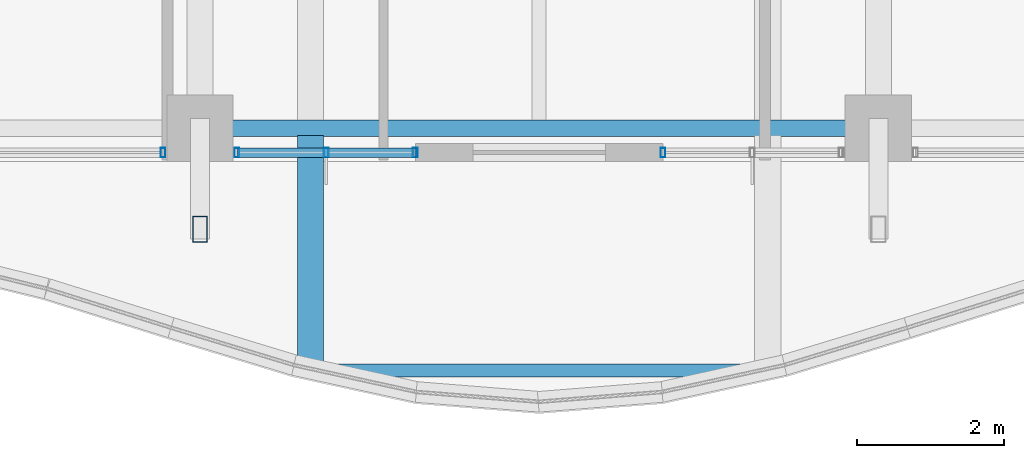
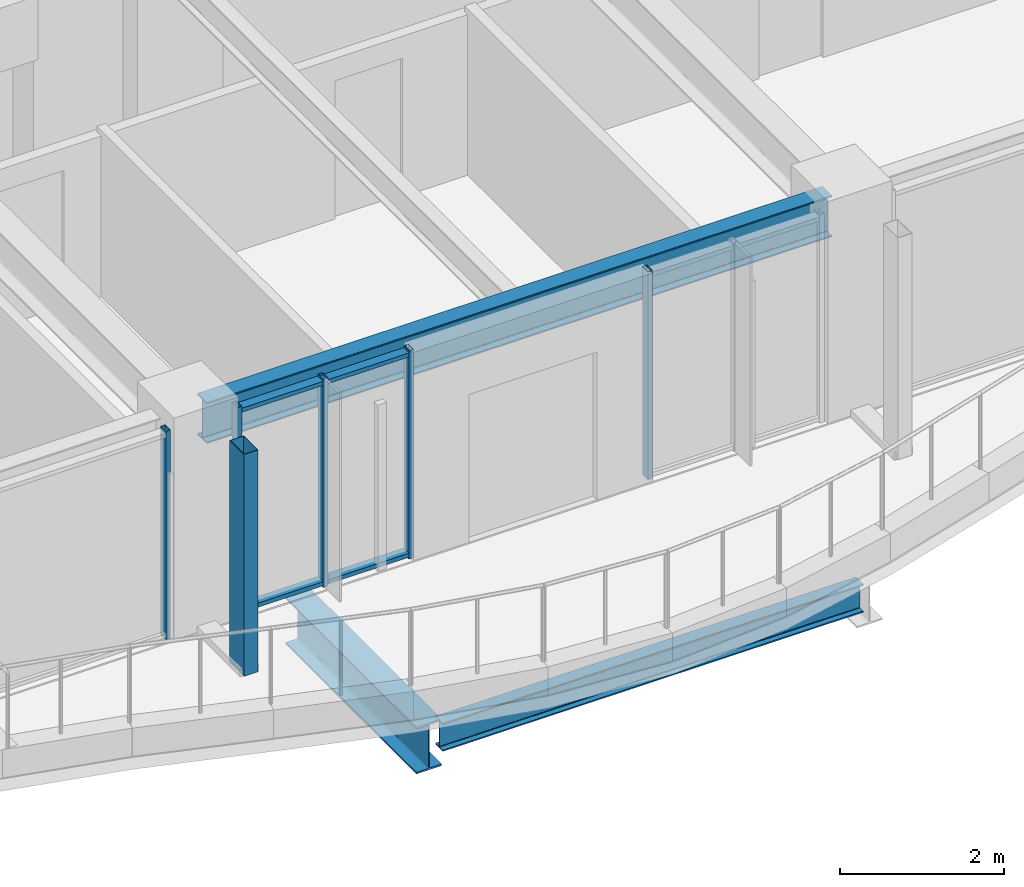
# One storey, part 4 of 34: 8 members, 3 beams, 3 elements without a shape of their own.
"""IFC4 building model written with IfcOpenShell, lengths in metres."""

import ifcopenshell
import ifcopenshell.guid

model = None  # the IFC model being written
_history = None  # IfcOwnerHistory: only IFC2X3 demands one
_inside = {}  # id of a spatial element -> (the spatial element, [elements in it])
_under = {}  # id of a project, library or spatial element -> (it, [spatial elements below it])
_declared = {}  # id of a project -> (the project, [libraries it declares])
_typed = {}  # id of a type object -> (the type object, [elements of that type])
_made_of = {}  # id of a material, layer set ... -> (it, [elements and type objects made of it])


def new_model(schema):
    """Start an empty IFC model of exactly this schema.

    Asked for "IFC4X3", IfcOpenShell would pick the latest addendum, in which some entities
    have other attributes; the version numbers below select the first issue.
    IFC2X3 requires an IfcOwnerHistory on every rooted entity: one is made here for all.
    """
    global model, _history
    if schema == "IFC4X3":
        model = ifcopenshell.file(schema_version=(4, 3, 0, 0))
    else:
        model = ifcopenshell.file(schema=schema)
    _inside.clear()
    _under.clear()
    _declared.clear()
    _typed.clear()
    _made_of.clear()
    _history = None
    if model.schema == "IFC2X3":
        org = make("IfcOrganization", Name="unknown")
        user = make(
            "IfcPersonAndOrganization",
            ThePerson=make("IfcPerson", FamilyName="unknown"),
            TheOrganization=org,
        )
        app = make(
            "IfcApplication",
            ApplicationDeveloper=org,
            Version="unknown",
            ApplicationFullName="unknown",
            ApplicationIdentifier="unknown",
        )
        _history = make(
            "IfcOwnerHistory",
            OwningUser=user,
            OwningApplication=app,
            ChangeAction="ADDED",
            CreationDate=0,
        )
    return model


def make(cls, **values):
    """One entity of the class cls with the attributes given. An attribute that is None is left unset."""
    return model.create_entity(
        cls, **{name: value for name, value in values.items() if value is not None}
    )


def rooted(cls, **values):
    """An entity with a GlobalId (a new one), such as an element, a storey or a relation."""
    return make(cls, GlobalId=ifcopenshell.guid.new(), OwnerHistory=_history, **values)


def si_unit(unit_type, name, prefix=None):
    """IfcSIUnit, for example si_unit("LENGTHUNIT", "METRE", prefix="MILLI")."""
    return make("IfcSIUnit", UnitType=unit_type, Prefix=prefix, Name=name)


def assignment(units):
    """IfcUnitAssignment: the units of a project."""
    return None if units is None else make("IfcUnitAssignment", Units=units)


def point(xyz):
    """IfcCartesianPoint."""
    return None if xyz is None else make("IfcCartesianPoint", Coordinates=xyz)


def direction(xyz):
    """IfcDirection."""
    return None if xyz is None else make("IfcDirection", DirectionRatios=xyz)


def frame(location, z_axis=None, x_axis=None):
    """IfcAxis2Placement3D, a coordinate frame: its origin and axes. An axis left out is left unset."""
    return make(
        "IfcAxis2Placement3D",
        Location=point(location),
        Axis=direction(z_axis),
        RefDirection=direction(x_axis),
    )


def frame_2d(location, x_axis=None):
    """IfcAxis2Placement2D, a coordinate frame in the plane: its origin and x axis."""
    return make(
        "IfcAxis2Placement2D", Location=point(location), RefDirection=direction(x_axis)
    )


def origin():
    """The frame at (0, 0, 0) with its axes left unset."""
    return frame((0.0, 0.0, 0.0))


def origin_2d():
    """The frame at (0, 0) in the plane with its x axis left unset."""
    return frame_2d((0.0, 0.0))


def place(relative_to, where):
    """IfcLocalPlacement: puts the frame where relative to a parent placement (None: the world)."""
    return make(
        "IfcLocalPlacement", PlacementRelTo=relative_to, RelativePlacement=where
    )


def context(
    kind, dimensions, precision=None, world=None, true_north=None, identifier=None
):
    """IfcGeometricRepresentationContext, for example the 3D "Model" context."""
    return make(
        "IfcGeometricRepresentationContext",
        ContextIdentifier=identifier,
        ContextType=kind,
        CoordinateSpaceDimension=dimensions,
        Precision=precision,
        WorldCoordinateSystem=world,
        TrueNorth=true_north,
    )


def subcontext(parent, identifier, kind, view, scale=None):
    """IfcGeometricRepresentationSubContext, for example "Body" below "Model"."""
    return make(
        "IfcGeometricRepresentationSubContext",
        ContextIdentifier=identifier,
        ContextType=kind,
        ParentContext=parent,
        TargetScale=scale,
        TargetView=view,
    )


def project(units=None, contexts=None):
    """IfcProject with its units and contexts."""
    return rooted(
        "IfcProject",
        Name="project",
        RepresentationContexts=contexts,
        UnitsInContext=assignment(units),
    )


def spatial(cls, under=None, at=None, **own):
    """A site, building, storey or space (cls), placed at a placement, below another one or the project."""
    s = rooted(cls, ObjectPlacement=at, **own)
    if under is not None:
        _under.setdefault(under.id(), (under, []))[1].append(s)
    return s


def profile(cls, at=None, kind="AREA", **sizes):
    """A parametric profile (cls). Its sizes go by their IFC names, for example OverallWidth=200.0."""
    return make(cls, ProfileType=kind, Position=at, **sizes)


def hollow_rectangle(**sizes):
    """IfcRectangleHollowProfileDef."""
    return profile("IfcRectangleHollowProfileDef", **sizes)


def i_section(**sizes):
    """IfcIShapeProfileDef."""
    return profile("IfcIShapeProfileDef", **sizes)


def extrude(swept, where, along, depth):
    """IfcExtrudedAreaSolid: the profile swept, set in the frame where, extruded along a direction by depth."""
    return make(
        "IfcExtrudedAreaSolid",
        SweptArea=swept,
        Position=where,
        ExtrudedDirection=direction(along),
        Depth=depth,
    )


def shape(context_of_items, identifier, shape_type, items):
    """IfcShapeRepresentation: the items that make up one representation, for example the "Body"."""
    return make(
        "IfcShapeRepresentation",
        ContextOfItems=context_of_items,
        RepresentationIdentifier=identifier,
        RepresentationType=shape_type,
        Items=items,
    )


def material(Name=None, Category=None):
    """IfcMaterial."""
    return make("IfcMaterial", Name=Name, Category=Category)


def material_profile(
    of_material, cross_section, Name=None, Category=None, Priority=None
):
    """IfcMaterialProfile: a cross section and its material."""
    return make(
        "IfcMaterialProfile",
        Name=Name,
        Material=of_material,
        Profile=cross_section,
        Priority=Priority,
        Category=Category,
    )


def profile_set(profiles, Name=None, composite=None):
    """IfcMaterialProfileSet."""
    return make(
        "IfcMaterialProfileSet",
        Name=Name,
        MaterialProfiles=profiles,
        CompositeProfile=composite,
    )


def made_of(thing, what):
    """Note that an element or type object is made of a material, layer set ...; save() writes the relation."""
    if what is not None:
        _made_of.setdefault(what.id(), (what, []))[1].append(thing)
    return thing


def type_object(cls, material=None, **own):
    """A type object (cls), such as IfcWallType, which elements share."""
    return made_of(rooted(cls, **own), material)


def element(
    cls,
    number,
    at=None,
    inside=None,
    cuts=None,
    type_object=None,
    material=None,
    context=None,
    identifier="Body",
    shape_type=None,
    held_by="IfcProductDefinitionShape",
    body=None,
    shapes=None,
    **own,
):
    """One element of the class cls, such as IfcWall. Its Tag is "e" and its number.

    at: its placement. inside: the storey or other place that contains it. cuts: it is an
    opening in that element (IfcRelVoidsElement). A single representation is given by context,
    identifier, shape_type and body (its items); several are given by shapes. held_by: the class
    of the entity that holds the representations. save() writes the other relations.
    """
    e = rooted(cls, Tag="e%d" % number, ObjectPlacement=at, **own)
    if body is not None:
        shapes = [shape(context, identifier, shape_type, body)]
    if shapes is not None:
        e.Representation = make(held_by, Representations=shapes)
    if inside is not None:
        _inside.setdefault(inside.id(), (inside, []))[1].append(e)
    if cuts is not None:
        rooted(
            "IfcRelVoidsElement", RelatingBuildingElement=cuts, RelatedOpeningElement=e
        )
    if type_object is not None:
        _typed.setdefault(type_object.id(), (type_object, []))[1].append(e)
    return made_of(e, material)


def aggregate(whole, parts):
    """IfcRelAggregates: a whole, such as a stair, and the parts it consists of."""
    return rooted("IfcRelAggregates", RelatingObject=whole, RelatedObjects=parts)


def save(model, path):
    """Write the relations noted so far, then the file.

    IfcRelAggregates (storeys below a building ...), IfcRelContainedInSpatialStructure (elements
    in a storey), IfcRelDefinesByType, IfcRelAssociatesMaterial and IfcRelDeclares: one each for
    every whole, place, type object, material and project.
    """
    for whole, parts in _under.values():
        aggregate(whole, parts)
    for where, things in _inside.values():
        rooted(
            "IfcRelContainedInSpatialStructure",
            RelatedElements=things,
            RelatingStructure=where,
        )
    for kind, things in _typed.values():
        rooted("IfcRelDefinesByType", RelatedObjects=things, RelatingType=kind)
    for what, things in _made_of.values():
        rooted("IfcRelAssociatesMaterial", RelatedObjects=things, RelatingMaterial=what)
    for by, libraries in _declared.values():
        rooted("IfcRelDeclares", RelatingContext=by, RelatedDefinitions=libraries)
    model.write(path)


model = new_model("IFC4")

# Units and contexts
model_context = context("Model", 3, precision=1e-05, world=origin(), true_north=direction((0.0, 1.0)))
body_context = subcontext(model_context, "Body", "Model", "MODEL_VIEW")
ifc_project = project(units=[si_unit("LENGTHUNIT", "METRE"), si_unit("AREAUNIT", "SQUARE_METRE"), si_unit("VOLUMEUNIT", "CUBIC_METRE"), si_unit("PLANEANGLEUNIT", "RADIAN"), si_unit("MASSUNIT", "GRAM", prefix="KILO")], contexts=[model_context])

# Site, building, storey
site_placement = place(None, origin())
site = spatial("IfcSite", under=ifc_project, at=site_placement, CompositionType="ELEMENT")
building_placement = place(site_placement, origin())
building = spatial("IfcBuilding", under=site, at=building_placement, Name="Kolvaren Belvedere", CompositionType="ELEMENT")
storey_placement = place(building_placement, frame((0.0, 0.0, 166.800048828125)))
storey = spatial("IfcBuildingStorey", under=building, at=storey_placement, Name="L48", CompositionType="ELEMENT", Elevation=166.800048828125)

# Beams
ifc_material_1 = material(Name="Structural steel ASTM A992 Grade 50", Category="steel")
ifc_material_profile_1 = material_profile(ifc_material_1, i_section(OverallWidth=0.35498046875, OverallDepth=0.696044921875, WebThickness=0.015380859375, FlangeThickness=0.02490234375, FilletRadius=0.02197265625, at=origin_2d()), Name="W27X146")
ifc_profile_set_1 = profile_set([ifc_material_profile_1], Name="Structural steel ASTM A992 Grade 50")
beam_type_1 = type_object("IfcBeamType", Name="BM-CANT-BAL", PredefinedType="BEAM", material=ifc_profile_set_1)
beam_1_placement = place(storey_placement, frame((-3.10009765625, -18.7451171875, -0.548095703125), z_axis=(0.0, -1.0, 0.0), x_axis=(1.0, 0.0, 0.0)))
element("IfcBeam", 1, at=beam_1_placement, inside=storey, type_object=beam_type_1, Name="L48 Planted Balcony Cantilever BAL-S-1", PredefinedType="BEAM", context=body_context, shape_type="SweptSolid", body=[
    extrude(i_section(OverallWidth=0.35498046875, OverallDepth=0.696044921875, WebThickness=0.015380859375, FlangeThickness=0.02490234375, FilletRadius=0.02197265625, at=origin_2d()), origin(), (0.0, 0.0, 1.0), 3.1904296875),
])
ifc_material_2 = material(Name="Structural steel ASTM A992 Grade 50", Category="steel")
ifc_material_profile_2 = material_profile(ifc_material_2, i_section(OverallWidth=0.180908203125, OverallDepth=0.4169921875, WebThickness=0.010986328125, FlangeThickness=0.018310546875, FilletRadius=0.013916015625, at=origin_2d()), Name="W16X57")
ifc_profile_set_2 = profile_set([ifc_material_profile_2], Name="Structural steel ASTM A992 Grade 50")
beam_type_2 = type_object("IfcBeamType", Name="BM-EDGE-W16X57", PredefinedType="BEAM", material=ifc_profile_set_2)
beam_2_placement = place(storey_placement, frame((-2.9599609375, -21.935546875, -0.408447265625), z_axis=(1.0, 0.0, 0.0), x_axis=(0.0, 1.0, 0.0)))
element("IfcBeam", 2, at=beam_2_placement, inside=storey, type_object=beam_type_2, Name="L48 Balcony Tip Header Beam BAL-S", PredefinedType="BEAM", context=body_context, shape_type="SweptSolid", body=[
    extrude(i_section(OverallWidth=0.180908203125, OverallDepth=0.4169921875, WebThickness=0.010986328125, FlangeThickness=0.018310546875, FilletRadius=0.013916015625, at=origin_2d()), origin(), (0.0, 0.0, 1.0), 5.919921875),
])
ifc_material_3 = material(Name="Structural steel ASTM A992 Grade 50", Category="steel")
ifc_material_profile_3 = material_profile(ifc_material_3, i_section(OverallWidth=0.22900390625, OverallDepth=0.612060546875, WebThickness=0.011962890625, FlangeThickness=0.01953125, FilletRadius=0.01806640625, at=origin_2d()), Name="W24X84")
ifc_profile_set_3 = profile_set([ifc_material_profile_3], Name="Structural steel ASTM A992 Grade 50")
beam_type_3 = type_object("IfcBeamType", Name="BM-SPAN-W24X84", PredefinedType="SPANDREL", material=ifc_profile_set_3)
beam_3_placement = place(storey_placement, frame((-4.3974609375, -18.64990234375, 2.7939453125), z_axis=(1.0, 0.0, 0.0), x_axis=(0.0, 1.0, 0.0)))
element("IfcBeam", 3, at=beam_3_placement, inside=storey, type_object=beam_type_3, Name="L48 Perimeter Spandrel S2-S3", PredefinedType="SPANDREL", context=body_context, shape_type="SweptSolid", body=[
    extrude(i_section(OverallWidth=0.22900390625, OverallDepth=0.612060546875, WebThickness=0.011962890625, FlangeThickness=0.01953125, FilletRadius=0.01806640625, at=origin_2d()), origin(), (0.0, 0.0, 1.0), 8.794921875),
])

# Curtain wall, member
ifc_material_4 = material(Name="Anodised pale-metal aluminium AA 6063-T6", Category="aluminium")
curtain_wall_type = type_object("IfcCurtainWallType", Name="CW-Z3-WAIST", PredefinedType="NOTDEFINED", material=ifc_material_4)
curtain_wall_1_placement = place(storey_placement, origin())
curtain_wall_1 = element("IfcCurtainWall", 4, at=curtain_wall_1_placement, inside=storey, type_object=curtain_wall_type, Name="L48 Unitised Curtain Wall FCW-L48-S1-B2", PredefinedType="NOTDEFINED")
ifc_material_5 = material(Name="Anodised pale-metal aluminium AA 6063-T6", Category="aluminium")
ifc_material_profile_4 = material_profile(ifc_material_5, hollow_rectangle(XDim=0.06494140625, YDim=0.1298828125, WallThickness=0.00390625, at=origin_2d()), Name="ALU-MUL-130X65")
ifc_profile_set_4 = profile_set([ifc_material_profile_4], Name="Anodised pale-metal aluminium AA 6063-T6")
member_type_1 = type_object("IfcMemberType", Name="CW-MUL-130", PredefinedType="MULLION", material=ifc_profile_set_4)
member_1_placement = place(storey_placement, frame((1.679931640625, -18.97998046875, 0.0), z_axis=(0.0, 0.0, 1.0), x_axis=(1.0, 0.0, 0.0)))
member_1 = element("IfcMember", 5, at=member_1_placement, type_object=member_type_1, Name="FCW-L48-S1-B2 Unitised Mullion 3", PredefinedType="MULLION", context=body_context, shape_type="SweptSolid", body=[
    extrude(hollow_rectangle(XDim=0.06494140625, YDim=0.1298828125, WallThickness=0.00390625, at=origin_2d()), origin(), (0.0, 0.0, 1.0), 3.099853515625),
])
aggregate(curtain_wall_1, [member_1])

# Curtain wall, members
curtain_wall_2_placement = place(storey_placement, origin())
curtain_wall_2 = element("IfcCurtainWall", 6, at=curtain_wall_2_placement, inside=storey, type_object=curtain_wall_type, Name="L48 Unitised Curtain Wall FCW-L48-S2-B1", PredefinedType="NOTDEFINED")
member_2_placement = place(storey_placement, frame((-1.679931640625, -18.97998046875, 0.0), z_axis=(0.0, 0.0, 1.0), x_axis=(1.0, 0.0, 0.0)))
member_2 = element("IfcMember", 7, at=member_2_placement, type_object=member_type_1, Name="FCW-L48-S2-B1 Unitised Mullion 1", PredefinedType="MULLION", context=body_context, shape_type="SweptSolid", body=[
    extrude(hollow_rectangle(XDim=0.06494140625, YDim=0.1298828125, WallThickness=0.00390625, at=origin_2d()), origin(), (0.0, 0.0, 1.0), 3.099853515625),
])
member_3_placement = place(storey_placement, frame((-2.888671875, -18.97998046875, 0.0), z_axis=(0.0, 0.0, 1.0), x_axis=(1.0, 0.0, 0.0)))
member_3 = element("IfcMember", 8, at=member_3_placement, type_object=member_type_1, Name="FCW-L48-S2-B1 Unitised Mullion 2", PredefinedType="MULLION", context=body_context, shape_type="SweptSolid", body=[
    extrude(hollow_rectangle(XDim=0.06494140625, YDim=0.1298828125, WallThickness=0.00390625, at=origin_2d()), origin(), (0.0, 0.0, 1.0), 3.099853515625),
])
member_4_placement = place(storey_placement, frame((-4.097412109375, -18.97998046875, 0.0), z_axis=(0.0, 0.0, 1.0), x_axis=(1.0, 0.0, 0.0)))
member_4 = element("IfcMember", 9, at=member_4_placement, type_object=member_type_1, Name="FCW-L48-S2-B1 Unitised Mullion 3", PredefinedType="MULLION", context=body_context, shape_type="SweptSolid", body=[
    extrude(hollow_rectangle(XDim=0.06494140625, YDim=0.1298828125, WallThickness=0.00390625, at=origin_2d()), origin(), (0.0, 0.0, 1.0), 3.099853515625),
])

# Curtain wall, member
curtain_wall_3_placement = place(storey_placement, origin())
curtain_wall_3 = element("IfcCurtainWall", 10, at=curtain_wall_3_placement, inside=storey, type_object=curtain_wall_type, Name="L48 Unitised Curtain Wall FCW-L48-S2-B2", PredefinedType="NOTDEFINED")
member_5_placement = place(storey_placement, frame((-5.1025390625, -18.97998046875, 0.0), z_axis=(0.0, 0.0, 1.0), x_axis=(1.0, 0.0, 0.0)))
member_5 = element("IfcMember", 11, at=member_5_placement, type_object=member_type_1, Name="FCW-L48-S2-B2 Unitised Mullion 1", PredefinedType="MULLION", context=body_context, shape_type="SweptSolid", body=[
    extrude(hollow_rectangle(XDim=0.06494140625, YDim=0.1298828125, WallThickness=0.00390625, at=origin_2d()), origin(), (0.0, 0.0, 1.0), 3.099853515625),
])
aggregate(curtain_wall_3, [member_5])

# Member
ifc_material_6 = material(Name="Anodised pale-metal aluminium AA 6063-T6", Category="aluminium")
ifc_material_profile_5 = material_profile(ifc_material_6, hollow_rectangle(XDim=0.06005859375, YDim=0.1298828125, WallThickness=0.00390625, at=origin_2d()), Name="ALU-TRN-130X60")
ifc_profile_set_5 = profile_set([ifc_material_profile_5], Name="Anodised pale-metal aluminium AA 6063-T6")
member_type_2 = type_object("IfcMemberType", Name="CW-TRN-130", PredefinedType="USERDEFINED", material=ifc_profile_set_5)
member_6_placement = place(storey_placement, frame((-1.679931640625, -18.97998046875, 0.06005859375), z_axis=(-1.0, 0.0, 0.0), x_axis=(0.0, 0.0, 1.0)))
member_6 = element("IfcMember", 12, at=member_6_placement, type_object=member_type_2, Name="FCW-L48-S2-B1 Sill Transom", ObjectType="TRANSOM", PredefinedType="USERDEFINED", context=body_context, shape_type="SweptSolid", body=[
    extrude(hollow_rectangle(XDim=0.06005859375, YDim=0.1298828125, WallThickness=0.00390625, at=origin_2d()), origin(), (0.0, 0.0, 1.0), 2.41748046875),
])

member_7_placement = place(storey_placement, frame((-1.679931640625, -18.97998046875, 3.0400390625), z_axis=(-1.0, 0.0, 0.0), x_axis=(0.0, 0.0, 1.0)))
member_7 = element("IfcMember", 13, at=member_7_placement, type_object=member_type_2, Name="FCW-L48-S2-B1 Head Transom", ObjectType="TRANSOM", PredefinedType="USERDEFINED", context=body_context, shape_type="SweptSolid", body=[
    extrude(hollow_rectangle(XDim=0.06005859375, YDim=0.1298828125, WallThickness=0.00390625, at=origin_2d()), origin(), (0.0, 0.0, 1.0), 2.41748046875),
])

aggregate(curtain_wall_2, [member_2, member_3, member_4, member_6, member_7])

ifc_material_7 = material(Name="Anodised pale-metal aluminium AA 6063-T6", Category="aluminium")
ifc_material_profile_6 = material_profile(ifc_material_7, hollow_rectangle(XDim=0.199951171875, YDim=0.35009765625, WallThickness=0.007568359375, at=origin_2d()), Name="ALU-PF-350X200")
ifc_profile_set_6 = profile_set([ifc_material_profile_6], Name="Anodised pale-metal aluminium AA 6063-T6")
member_type_3 = type_object("IfcMemberType", Name="PF-FRAME-350", PredefinedType="USERDEFINED", material=ifc_profile_set_6)
member_8_placement = place(storey_placement, frame((-4.60009765625, -20.02001953125, 0.0), z_axis=(0.0, 0.0, 1.0), x_axis=(1.0, 0.0, 0.0)))
element("IfcMember", 14, at=member_8_placement, inside=storey, type_object=member_type_3, Name="L48 Outboard Picture-Frame Vertical S2", ObjectType="PICTURE FRAME FIN", PredefinedType="USERDEFINED", context=body_context, shape_type="SweptSolid", body=[
    extrude(hollow_rectangle(XDim=0.199951171875, YDim=0.35009765625, WallThickness=0.007568359375, at=origin_2d()), origin(), (0.0, 0.0, 1.0), 3.300048828125),
])

save(model, "model.ifc")
